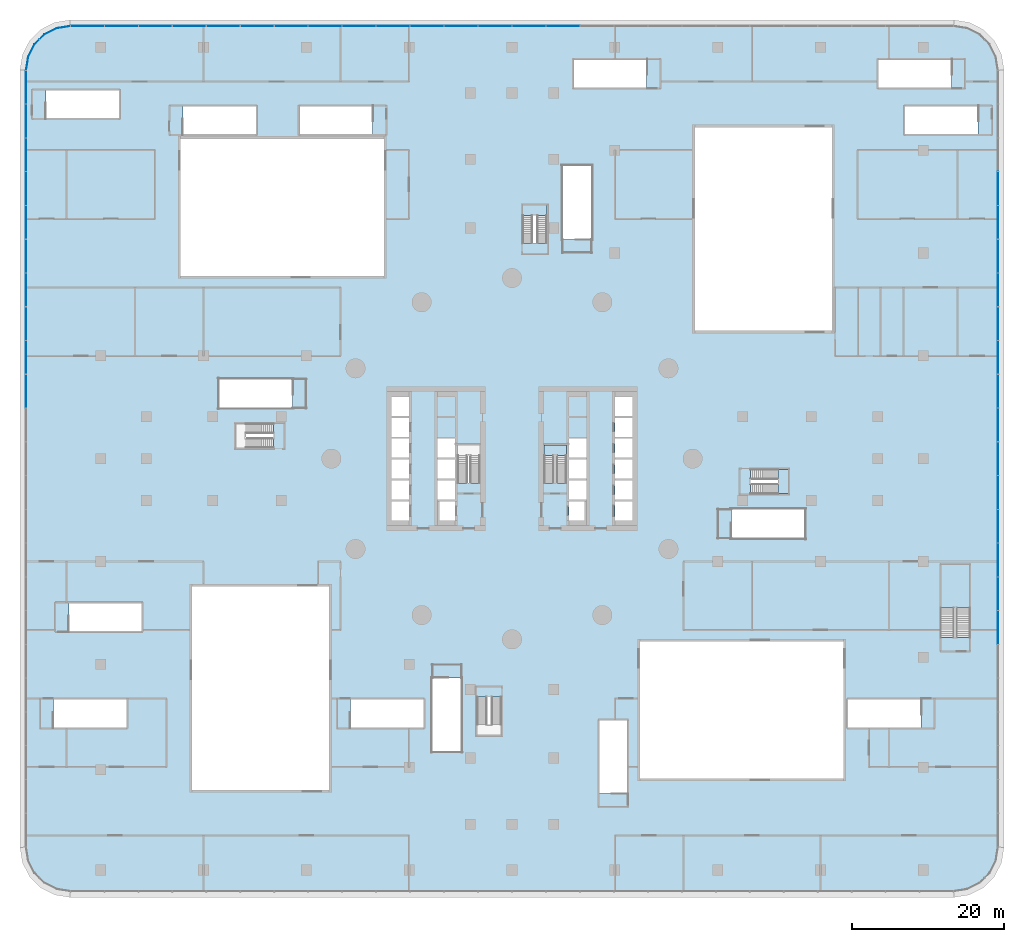
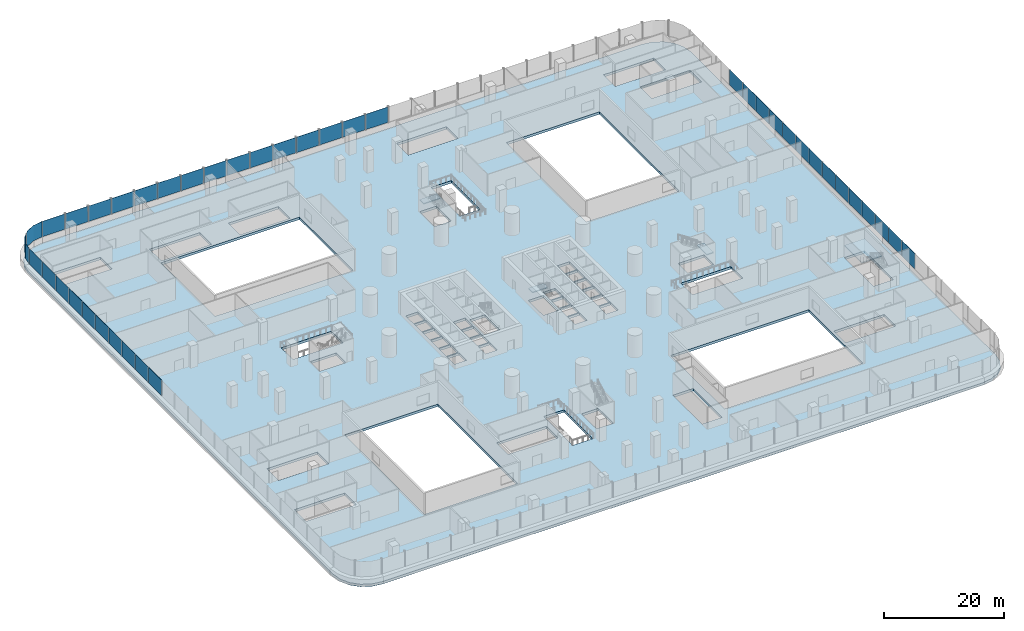
# One storey, part 21 of 38: 41 plates, 5 slabs, 8 elements without a shape of their own.
"""IFC4 building model written with IfcOpenShell, lengths in metres."""

from ifc_helpers import new_model, si_unit, direction, frame, origin, place, context, subcontext, project, spatial, polyline, outline, extrude, material, layer, layer_set, type_object, element, aggregate, save


model = new_model("IFC4")

# Units and contexts
model_context = context("Model", 3, precision=1e-05, world=origin(), true_north=direction((0.0, 1.0)))
body_context = subcontext(model_context, "Body", "Model", "MODEL_VIEW")
ifc_project = project(units=[si_unit("LENGTHUNIT", "METRE"), si_unit("AREAUNIT", "SQUARE_METRE"), si_unit("VOLUMEUNIT", "CUBIC_METRE"), si_unit("PLANEANGLEUNIT", "RADIAN"), si_unit("MASSUNIT", "GRAM", prefix="KILO")], contexts=[model_context])

# Site, building, storey
site_placement = place(None, origin())
site = spatial("IfcSite", under=ifc_project, at=site_placement, CompositionType="ELEMENT")
building_placement = place(site_placement, origin())
building = spatial("IfcBuilding", under=site, at=building_placement, Name="Tamarind Cross Interchange Tower", CompositionType="ELEMENT")
storey_placement = place(building_placement, frame((0.0, 0.0, 20.0)))
storey = spatial("IfcBuildingStorey", under=building, at=storey_placement, Name="L03", CompositionType="ELEMENT", Elevation=20.0)

# Slab
ifc_material_1 = material(Name="Concrete C40", Category="concrete")
ifc_layer_1 = layer(ifc_material_1, 0.5)
ifc_layer_set_1 = layer_set([ifc_layer_1], Name="Concrete C40")
slab_type_1 = type_object("IfcSlabType", Name="Post-tensioned flat slab 500 Concrete C40", PredefinedType="FLOOR", material=ifc_layer_set_1)
slab_1_placement = place(storey_placement, frame((0.0, 0.0, -0.5)))
element("IfcSlab", 1, at=slab_1_placement, inside=storey, type_object=slab_type_1, Name="Floor slab L03", PredefinedType="FLOOR", context=body_context, shape_type="SweptSolid", body=[
    extrude(outline(polyline([(-59.85400390625, -56.706298828125), (-58.0, -57.0), (58.0, -57.0), (59.85400390625, -56.706298828125), (61.526611328125, -55.85400390625), (62.85400390625, -54.526611328125), (63.706298828125, -52.85400390625), (64.0, -51.0), (64.0, 51.0), (63.706298828125, 52.85400390625), (62.85400390625, 54.526611328125), (61.526611328125, 55.85400390625), (59.85400390625, 56.706298828125), (58.0, 57.0), (-58.0, 57.0), (-59.85400390625, 56.706298828125), (-61.526611328125, 55.85400390625), (-62.85400390625, 54.526611328125), (-63.706298828125, 52.85400390625), (-64.0, 51.0), (-64.0, -51.0), (-63.706298828125, -52.85400390625), (-62.85400390625, -54.526611328125), (-61.526611328125, -55.85400390625), (-59.85400390625, -56.706298828125)]), holes=[polyline([(-50.5, -35.39990234375), (-60.18798828125, -35.39990234375), (-60.18798828125, -31.5), (-50.5, -31.5), (-50.5, -35.39990234375)]), polyline([(-11.5, -35.39990234375), (-21.18798828125, -35.39990234375), (-21.18798828125, -31.5), (-11.5, -31.5), (-11.5, -35.39990234375)]), polyline([(-42.0, -43.5), (-42.0, -16.800048828125), (-24.0, -16.800048828125), (-24.0, -43.5), (-42.0, -43.5)]), polyline([(-58.18798828125, -22.75), (-58.18798828125, -18.85009765625), (-48.5, -18.85009765625), (-48.5, -22.75), (-58.18798828125, -22.75)]), polyline([(-15.800048828125, -8.125), (-15.800048828125, -5.625), (-13.5, -5.625), (-13.5, -8.125), (-15.800048828125, -8.125)]), polyline([(-13.5, -5.375), (-15.800048828125, -5.375), (-15.800048828125, -2.875), (-13.5, -2.875), (-13.5, -5.375)]), polyline([(-15.800048828125, -2.625), (-15.800048828125, -0.125), (-13.5, -0.125), (-13.5, -2.625), (-15.800048828125, -2.625)]), polyline([(-15.800048828125, 0.125), (-15.800048828125, 2.625), (-13.5, 2.625), (-13.5, 0.125), (-15.800048828125, 0.125)]), polyline([(-31.31201171875, 1.39990234375), (-36.300048828125, 1.39990234375), (-36.300048828125, 4.60009765625), (-31.31201171875, 4.60009765625), (-31.31201171875, 1.39990234375)]), polyline([(-15.800048828125, 2.875), (-15.800048828125, 5.375), (-13.5, 5.375), (-13.5, 2.875), (-15.800048828125, 2.875)]), polyline([(-15.800048828125, 5.625), (-15.800048828125, 8.125), (-13.5, 8.125), (-13.5, 5.625), (-15.800048828125, 5.625)]), polyline([(-38.5, 10.5), (-28.81201171875, 10.5), (-28.81201171875, 6.60009765625), (-38.5, 6.60009765625), (-38.5, 10.5)]), polyline([(-43.5, 42.0), (-16.800048828125, 42.0), (-16.800048828125, 24.0), (-43.5, 24.0), (-43.5, 42.0)]), polyline([(-43.18798828125, 42.5), (-43.18798828125, 46.39990234375), (-33.5, 46.39990234375), (-33.5, 42.5), (-43.18798828125, 42.5)]), polyline([(-28.0, 46.39990234375), (-18.31201171875, 46.39990234375), (-18.31201171875, 42.5), (-28.0, 42.5), (-28.0, 46.39990234375)]), polyline([(-61.18798828125, 44.60009765625), (-61.18798828125, 48.5), (-51.5, 48.5), (-51.5, 44.60009765625), (-61.18798828125, 44.60009765625)]), polyline([(15.25, -43.93798828125), (11.35009765625, -43.93798828125), (11.35009765625, -34.25), (15.25, -34.25), (15.25, -43.93798828125)]), polyline([(-1.39990234375, -31.31201171875), (-1.39990234375, -36.300048828125), (-4.60009765625, -36.300048828125), (-4.60009765625, -31.31201171875), (-1.39990234375, -31.31201171875)]), polyline([(-10.5, -28.81201171875), (-6.60009765625, -28.81201171875), (-6.60009765625, -38.5), (-10.5, -38.5), (-10.5, -28.81201171875)]), polyline([(-9.800048828125, -8.125), (-9.800048828125, -5.625), (-7.5, -5.625), (-7.5, -8.125), (-9.800048828125, -8.125)]), polyline([(7.5, -5.625), (9.800048828125, -5.625), (9.800048828125, -8.125), (7.5, -8.125), (7.5, -5.625)]), polyline([(-9.800048828125, -5.375), (-9.800048828125, -2.875), (-7.5, -2.875), (-7.5, -5.375), (-9.800048828125, -5.375)]), polyline([(9.800048828125, -2.875), (9.800048828125, -5.375), (7.5, -5.375), (7.5, -2.875), (9.800048828125, -2.875)]), polyline([(-7.5, -2.625), (-9.800048828125, -2.625), (-9.800048828125, -0.125), (-7.5, -0.125), (-7.5, -2.625)]), polyline([(7.5, -0.125), (9.800048828125, -0.125), (9.800048828125, -2.625), (7.5, -2.625), (7.5, -0.125)]), polyline([(-4.199951171875, 1.800048828125), (-4.199951171875, -3.18798828125), (-7.14990234375, -3.18798828125), (-7.14990234375, 1.800048828125), (-4.199951171875, 1.800048828125)]), polyline([(7.14990234375, -3.18798828125), (4.199951171875, -3.18798828125), (4.199951171875, 1.800048828125), (7.14990234375, 1.800048828125), (7.14990234375, -3.18798828125)]), polyline([(-9.800048828125, 0.125), (-9.800048828125, 2.625), (-7.5, 2.625), (-7.5, 0.125), (-9.800048828125, 0.125)]), polyline([(7.5, 2.625), (9.800048828125, 2.625), (9.800048828125, 0.125), (7.5, 0.125), (7.5, 2.625)]), polyline([(1.39990234375, 33.300048828125), (4.60009765625, 33.300048828125), (4.60009765625, 28.31201171875), (1.39990234375, 28.31201171875), (1.39990234375, 33.300048828125)]), polyline([(10.5, 28.81201171875), (6.60009765625, 28.81201171875), (6.60009765625, 38.5), (10.5, 38.5), (10.5, 28.81201171875)]), polyline([(8.0, 52.5), (17.68798828125, 52.5), (17.68798828125, 48.60009765625), (8.0, 48.60009765625), (8.0, 52.5)]), polyline([(53.68798828125, -31.5), (53.68798828125, -35.39990234375), (44.0, -35.39990234375), (44.0, -31.5), (53.68798828125, -31.5)]), polyline([(16.800048828125, -24.0), (43.5, -24.0), (43.5, -42.0), (16.800048828125, -42.0), (16.800048828125, -24.0)]), polyline([(60.14990234375, -13.800048828125), (60.14990234375, -23.488037109375), (56.25, -23.488037109375), (56.25, -13.800048828125), (60.14990234375, -13.800048828125)]), polyline([(28.81201171875, -10.5), (28.81201171875, -6.60009765625), (38.5, -6.60009765625), (38.5, -10.5), (28.81201171875, -10.5)]), polyline([(15.800048828125, -5.625), (15.800048828125, -8.125), (13.5, -8.125), (13.5, -5.625), (15.800048828125, -5.625)]), polyline([(13.5, -2.875), (15.800048828125, -2.875), (15.800048828125, -5.375), (13.5, -5.375), (13.5, -2.875)]), polyline([(36.300048828125, -1.39990234375), (36.300048828125, -4.60009765625), (31.31201171875, -4.60009765625), (31.31201171875, -1.39990234375), (36.300048828125, -1.39990234375)]), polyline([(15.800048828125, -0.125), (15.800048828125, -2.625), (13.5, -2.625), (13.5, -0.125), (15.800048828125, -0.125)]), polyline([(13.5, 2.625), (15.800048828125, 2.625), (15.800048828125, 0.125), (13.5, 0.125), (13.5, 2.625)]), polyline([(15.800048828125, 5.375), (15.800048828125, 2.875), (13.5, 2.875), (13.5, 5.375), (15.800048828125, 5.375)]), polyline([(15.800048828125, 8.125), (15.800048828125, 5.625), (13.5, 5.625), (13.5, 8.125), (15.800048828125, 8.125)]), polyline([(24.0, 16.800048828125), (24.0, 43.5), (42.0, 43.5), (42.0, 16.800048828125), (24.0, 16.800048828125)]), polyline([(61.18798828125, 46.39990234375), (61.18798828125, 42.5), (51.5, 42.5), (51.5, 46.39990234375), (61.18798828125, 46.39990234375)]), polyline([(57.68798828125, 52.5), (57.68798828125, 48.60009765625), (48.0, 48.60009765625), (48.0, 52.5), (57.68798828125, 52.5)])]), origin(), (0.0, 0.0, 1.0), 0.5),
])

# Stair, slab
ifc_material_2 = material(Name="Public stair")
stair_type_1 = type_object("IfcStairType", Name="Public stair", PredefinedType="HALF_TURN_STAIR", material=ifc_material_2)
stair_1_placement = place(storey_placement, origin())
stair_1 = element("IfcStair", 2, at=stair_1_placement, inside=storey, type_object=stair_type_1, Name="L03 exit stair XS-P11", PredefinedType="HALF_TURN_STAIR")
ifc_layer_2 = layer(ifc_material_1, 0.199951171875)
ifc_layer_set_2 = layer_set([ifc_layer_2], Name="Concrete C40")
slab_type_2 = type_object("IfcSlabType", Name="Public stair landing", PredefinedType="LANDING", material=ifc_layer_set_2)
slab_2_placement = place(storey_placement, frame((0.0, 0.0, 2.300048828125)))
slab_2 = element("IfcSlab", 3, at=slab_2_placement, type_object=slab_type_2, Name="XS-P11 landing 1", PredefinedType="LANDING", context=body_context, shape_type="SweptSolid", body=[
    extrude(outline(polyline([(60.14990234375, -19.580078125), (60.14990234375, -13.800048828125), (56.25, -13.800048828125), (56.25, -19.580078125), (60.14990234375, -19.580078125)])), origin(), (0.0, 0.0, 1.0), 0.199951171875),
])
aggregate(stair_1, [slab_2])

ifc_material_3 = material(Name="Exit stair")
stair_type_2 = type_object("IfcStairType", Name="Exit stair", PredefinedType="HALF_TURN_STAIR", material=ifc_material_3)
stair_2_placement = place(storey_placement, origin())
stair_2 = element("IfcStair", 4, at=stair_2_placement, inside=storey, type_object=stair_type_2, Name="L03 exit stair ST2", PredefinedType="HALF_TURN_STAIR")
ifc_layer_3 = layer(ifc_material_1, 0.199951171875)
ifc_layer_set_3 = layer_set([ifc_layer_3], Name="Concrete C40")
slab_type_3 = type_object("IfcSlabType", Name="Stair landing", PredefinedType="LANDING", material=ifc_layer_set_3)
slab_3_placement = place(storey_placement, frame((0.0, 0.0, 2.300048828125)))
slab_3 = element("IfcSlab", 5, at=slab_3_placement, type_object=slab_type_3, Name="ST2 landing 1", PredefinedType="LANDING", context=body_context, shape_type="SweptSolid", body=[
    extrude(outline(polyline([(7.14990234375, 0.43994140625), (7.14990234375, 1.800048828125), (4.199951171875, 1.800048828125), (4.199951171875, 0.43994140625), (7.14990234375, 0.43994140625)])), origin(), (0.0, 0.0, 1.0), 0.199951171875),
])
aggregate(stair_2, [slab_3])

stair_3_placement = place(storey_placement, origin())
stair_3 = element("IfcStair", 6, at=stair_3_placement, inside=storey, type_object=stair_type_2, Name="L03 exit stair ST3", PredefinedType="HALF_TURN_STAIR")
slab_4_placement = place(storey_placement, frame((0.0, 0.0, 2.300048828125)))
slab_4 = element("IfcSlab", 7, at=slab_4_placement, type_object=slab_type_3, Name="ST3 landing 1", PredefinedType="LANDING", context=body_context, shape_type="SweptSolid", body=[
    extrude(outline(polyline([(34.927978515625, -4.60009765625), (36.300048828125, -4.60009765625), (36.300048828125, -1.39990234375), (34.927978515625, -1.39990234375), (34.927978515625, -4.60009765625)])), origin(), (0.0, 0.0, 1.0), 0.199951171875),
])
aggregate(stair_3, [slab_4])

stair_4_placement = place(storey_placement, origin())
stair_4 = element("IfcStair", 8, at=stair_4_placement, inside=storey, type_object=stair_type_2, Name="L03 exit stair ST4", PredefinedType="HALF_TURN_STAIR")
slab_5_placement = place(storey_placement, frame((0.0, 0.0, 2.300048828125)))
slab_5 = element("IfcSlab", 9, at=slab_5_placement, type_object=slab_type_3, Name="ST4 landing 1", PredefinedType="LANDING", context=body_context, shape_type="SweptSolid", body=[
    extrude(outline(polyline([(4.60009765625, 31.927978515625), (4.60009765625, 33.300048828125), (1.39990234375, 33.300048828125), (1.39990234375, 31.927978515625), (4.60009765625, 31.927978515625)])), origin(), (0.0, 0.0, 1.0), 0.199951171875),
])
aggregate(stair_4, [slab_5])

# Curtain wall, plates
ifc_material_4 = material(Name="Aluminium 6063-T6", Category="aluminium")
ifc_layer_4 = layer(ifc_material_4, 0.199951171875)
ifc_layer_set_4 = layer_set([ifc_layer_4], Name="Aluminium 6063-T6")
curtain_wall_type = type_object("IfcCurtainWallType", Name="Podium shopfront and station curtain wall", PredefinedType="NOTDEFINED", material=ifc_layer_set_4)
curtain_wall_1_placement = place(storey_placement, origin())
curtain_wall_1 = element("IfcCurtainWall", 10, at=curtain_wall_1_placement, inside=storey, type_object=curtain_wall_type, Name="CWS-L03-00", PredefinedType="NOTDEFINED")
ifc_material_5 = material(Name="Toughened low-e glass 10+12+10", Category="glass")
ifc_layer_5 = layer(ifc_material_5, 0.031982421875)
ifc_layer_set_5 = layer_set([ifc_layer_5], Name="Toughened low-e glass 10+12+10")
plate_type = type_object("IfcPlateType", Name="Vision panel CW3", PredefinedType="CURTAIN_PANEL", material=ifc_layer_set_5)
plate_1_placement = place(storey_placement, frame((0.0, 0.0, 1.39990234375)))
plate_1 = element("IfcPlate", 11, at=plate_1_placement, type_object=plate_type, Name="CWP-L03-00-06", PredefinedType="CURTAIN_PANEL", context=body_context, shape_type="SweptSolid", body=[
    extrude(outline(polyline([(63.783935546875, -24.34375), (63.783935546875, -19.990478515625), (63.81591796875, -19.990478515625), (63.81591796875, -24.34375), (63.783935546875, -24.34375)])), origin(), (0.0, 0.0, 1.0), 3.150146484375),
])
plate_2_placement = place(storey_placement, frame((0.0, 0.0, 1.39990234375)))
plate_2 = element("IfcPlate", 12, at=plate_2_placement, type_object=plate_type, Name="CWP-L03-00-07", PredefinedType="CURTAIN_PANEL", context=body_context, shape_type="SweptSolid", body=[
    extrude(outline(polyline([(63.783935546875, -19.910400390625), (63.783935546875, -15.556884765625), (63.81591796875, -15.556884765625), (63.81591796875, -19.910400390625), (63.783935546875, -19.910400390625)])), origin(), (0.0, 0.0, 1.0), 3.150146484375),
])
plate_3_placement = place(storey_placement, frame((0.0, 0.0, 1.39990234375)))
plate_3 = element("IfcPlate", 13, at=plate_3_placement, type_object=plate_type, Name="CWP-L03-00-08", PredefinedType="CURTAIN_PANEL", context=body_context, shape_type="SweptSolid", body=[
    extrude(outline(polyline([(63.783935546875, -15.47705078125), (63.783935546875, -11.12353515625), (63.81591796875, -11.12353515625), (63.81591796875, -15.47705078125), (63.783935546875, -15.47705078125)])), origin(), (0.0, 0.0, 1.0), 3.150146484375),
])
plate_4_placement = place(storey_placement, frame((0.0, 0.0, 1.39990234375)))
plate_4 = element("IfcPlate", 14, at=plate_4_placement, type_object=plate_type, Name="CWP-L03-00-09", PredefinedType="CURTAIN_PANEL", context=body_context, shape_type="SweptSolid", body=[
    extrude(outline(polyline([(63.783935546875, -11.04345703125), (63.783935546875, -6.690185546875), (63.81591796875, -6.690185546875), (63.81591796875, -11.04345703125), (63.783935546875, -11.04345703125)])), origin(), (0.0, 0.0, 1.0), 3.150146484375),
])
plate_5_placement = place(storey_placement, frame((0.0, 0.0, 1.39990234375)))
plate_5 = element("IfcPlate", 15, at=plate_5_placement, type_object=plate_type, Name="CWP-L03-00-10", PredefinedType="CURTAIN_PANEL", context=body_context, shape_type="SweptSolid", body=[
    extrude(outline(polyline([(63.783935546875, -6.610107421875), (63.783935546875, -2.256591796875), (63.81591796875, -2.256591796875), (63.81591796875, -6.610107421875), (63.783935546875, -6.610107421875)])), origin(), (0.0, 0.0, 1.0), 3.150146484375),
])
plate_6_placement = place(storey_placement, frame((0.0, 0.0, 1.39990234375)))
plate_6 = element("IfcPlate", 16, at=plate_6_placement, type_object=plate_type, Name="CWP-L03-00-11", PredefinedType="CURTAIN_PANEL", context=body_context, shape_type="SweptSolid", body=[
    extrude(outline(polyline([(63.783935546875, -2.1767578125), (63.783935546875, 2.1767578125), (63.81591796875, 2.1767578125), (63.81591796875, -2.1767578125), (63.783935546875, -2.1767578125)])), origin(), (0.0, 0.0, 1.0), 3.150146484375),
])
plate_7_placement = place(storey_placement, frame((0.0, 0.0, 1.39990234375)))
plate_7 = element("IfcPlate", 17, at=plate_7_placement, type_object=plate_type, Name="CWP-L03-00-12", PredefinedType="CURTAIN_PANEL", context=body_context, shape_type="SweptSolid", body=[
    extrude(outline(polyline([(63.783935546875, 2.256591796875), (63.783935546875, 6.610107421875), (63.81591796875, 6.610107421875), (63.81591796875, 2.256591796875), (63.783935546875, 2.256591796875)])), origin(), (0.0, 0.0, 1.0), 3.150146484375),
])
plate_8_placement = place(storey_placement, frame((0.0, 0.0, 1.39990234375)))
plate_8 = element("IfcPlate", 18, at=plate_8_placement, type_object=plate_type, Name="CWP-L03-00-13", PredefinedType="CURTAIN_PANEL", context=body_context, shape_type="SweptSolid", body=[
    extrude(outline(polyline([(63.783935546875, 6.690185546875), (63.783935546875, 11.04345703125), (63.81591796875, 11.04345703125), (63.81591796875, 6.690185546875), (63.783935546875, 6.690185546875)])), origin(), (0.0, 0.0, 1.0), 3.150146484375),
])
plate_9_placement = place(storey_placement, frame((0.0, 0.0, 1.39990234375)))
plate_9 = element("IfcPlate", 19, at=plate_9_placement, type_object=plate_type, Name="CWP-L03-00-14", PredefinedType="CURTAIN_PANEL", context=body_context, shape_type="SweptSolid", body=[
    extrude(outline(polyline([(63.783935546875, 11.12353515625), (63.783935546875, 15.47705078125), (63.81591796875, 15.47705078125), (63.81591796875, 11.12353515625), (63.783935546875, 11.12353515625)])), origin(), (0.0, 0.0, 1.0), 3.150146484375),
])
plate_10_placement = place(storey_placement, frame((0.0, 0.0, 1.39990234375)))
plate_10 = element("IfcPlate", 20, at=plate_10_placement, type_object=plate_type, Name="CWP-L03-00-15", PredefinedType="CURTAIN_PANEL", context=body_context, shape_type="SweptSolid", body=[
    extrude(outline(polyline([(63.783935546875, 15.556884765625), (63.783935546875, 19.910400390625), (63.81591796875, 19.910400390625), (63.81591796875, 15.556884765625), (63.783935546875, 15.556884765625)])), origin(), (0.0, 0.0, 1.0), 3.150146484375),
])
plate_11_placement = place(storey_placement, frame((0.0, 0.0, 1.39990234375)))
plate_11 = element("IfcPlate", 21, at=plate_11_placement, type_object=plate_type, Name="CWP-L03-00-16", PredefinedType="CURTAIN_PANEL", context=body_context, shape_type="SweptSolid", body=[
    extrude(outline(polyline([(63.783935546875, 19.990478515625), (63.783935546875, 24.34375), (63.81591796875, 24.34375), (63.81591796875, 19.990478515625), (63.783935546875, 19.990478515625)])), origin(), (0.0, 0.0, 1.0), 3.150146484375),
])
plate_12_placement = place(storey_placement, frame((0.0, 0.0, 1.39990234375)))
plate_12 = element("IfcPlate", 22, at=plate_12_placement, type_object=plate_type, Name="CWP-L03-00-17", PredefinedType="CURTAIN_PANEL", context=body_context, shape_type="SweptSolid", body=[
    extrude(outline(polyline([(63.783935546875, 24.423828125), (63.783935546875, 28.777099609375), (63.81591796875, 28.777099609375), (63.81591796875, 24.423828125), (63.783935546875, 24.423828125)])), origin(), (0.0, 0.0, 1.0), 3.150146484375),
])
plate_13_placement = place(storey_placement, frame((0.0, 0.0, 1.39990234375)))
plate_13 = element("IfcPlate", 23, at=plate_13_placement, type_object=plate_type, Name="CWP-L03-00-18", PredefinedType="CURTAIN_PANEL", context=body_context, shape_type="SweptSolid", body=[
    extrude(outline(polyline([(63.783935546875, 28.857177734375), (63.783935546875, 33.210693359375), (63.81591796875, 33.210693359375), (63.81591796875, 28.857177734375), (63.783935546875, 28.857177734375)])), origin(), (0.0, 0.0, 1.0), 3.150146484375),
])
plate_14_placement = place(storey_placement, frame((0.0, 0.0, 1.39990234375)))
plate_14 = element("IfcPlate", 24, at=plate_14_placement, type_object=plate_type, Name="CWP-L03-00-19", PredefinedType="CURTAIN_PANEL", context=body_context, shape_type="SweptSolid", body=[
    extrude(outline(polyline([(63.783935546875, 33.29052734375), (63.783935546875, 37.64404296875), (63.81591796875, 37.64404296875), (63.81591796875, 33.29052734375), (63.783935546875, 33.29052734375)])), origin(), (0.0, 0.0, 1.0), 3.150146484375),
])
aggregate(curtain_wall_1, [plate_1, plate_2, plate_3, plate_4, plate_5, plate_6, plate_7, plate_8, plate_9, plate_10, plate_11, plate_12, plate_13, plate_14])

curtain_wall_2_placement = place(storey_placement, origin())
curtain_wall_2 = element("IfcCurtainWall", 25, at=curtain_wall_2_placement, inside=storey, type_object=curtain_wall_type, Name="CWS-L03-02", PredefinedType="NOTDEFINED")
plate_15_placement = place(storey_placement, frame((0.0, 0.0, 1.39990234375)))
plate_15 = element("IfcPlate", 26, at=plate_15_placement, type_object=plate_type, Name="CWP-L03-02-11", PredefinedType="CURTAIN_PANEL", context=body_context, shape_type="SweptSolid", body=[
    extrude(outline(polyline([(8.880615234375, 56.783935546875), (4.500244140625, 56.783935546875), (4.500244140625, 56.81591796875), (8.880615234375, 56.81591796875), (8.880615234375, 56.783935546875)])), origin(), (0.0, 0.0, 1.0), 3.150146484375),
])
plate_16_placement = place(storey_placement, frame((0.0, 0.0, 1.39990234375)))
plate_16 = element("IfcPlate", 27, at=plate_16_placement, type_object=plate_type, Name="CWP-L03-02-12", PredefinedType="CURTAIN_PANEL", context=body_context, shape_type="SweptSolid", body=[
    extrude(outline(polyline([(4.42041015625, 56.783935546875), (0.0400390625, 56.783935546875), (0.0400390625, 56.81591796875), (4.42041015625, 56.81591796875), (4.42041015625, 56.783935546875)])), origin(), (0.0, 0.0, 1.0), 3.150146484375),
])
plate_17_placement = place(storey_placement, frame((0.0, 0.0, 1.39990234375)))
plate_17 = element("IfcPlate", 28, at=plate_17_placement, type_object=plate_type, Name="CWP-L03-02-13", PredefinedType="CURTAIN_PANEL", context=body_context, shape_type="SweptSolid", body=[
    extrude(outline(polyline([(-0.0400390625, 56.783935546875), (-4.42041015625, 56.783935546875), (-4.42041015625, 56.81591796875), (-0.0400390625, 56.81591796875), (-0.0400390625, 56.783935546875)])), origin(), (0.0, 0.0, 1.0), 3.150146484375),
])
plate_18_placement = place(storey_placement, frame((0.0, 0.0, 1.39990234375)))
plate_18 = element("IfcPlate", 29, at=plate_18_placement, type_object=plate_type, Name="CWP-L03-02-14", PredefinedType="CURTAIN_PANEL", context=body_context, shape_type="SweptSolid", body=[
    extrude(outline(polyline([(-4.500244140625, 56.783935546875), (-8.880615234375, 56.783935546875), (-8.880615234375, 56.81591796875), (-4.500244140625, 56.81591796875), (-4.500244140625, 56.783935546875)])), origin(), (0.0, 0.0, 1.0), 3.150146484375),
])
plate_19_placement = place(storey_placement, frame((0.0, 0.0, 1.39990234375)))
plate_19 = element("IfcPlate", 30, at=plate_19_placement, type_object=plate_type, Name="CWP-L03-02-15", PredefinedType="CURTAIN_PANEL", context=body_context, shape_type="SweptSolid", body=[
    extrude(outline(polyline([(-8.960693359375, 56.783935546875), (-13.341064453125, 56.783935546875), (-13.341064453125, 56.81591796875), (-8.960693359375, 56.81591796875), (-8.960693359375, 56.783935546875)])), origin(), (0.0, 0.0, 1.0), 3.150146484375),
])
plate_20_placement = place(storey_placement, frame((0.0, 0.0, 1.39990234375)))
plate_20 = element("IfcPlate", 31, at=plate_20_placement, type_object=plate_type, Name="CWP-L03-02-16", PredefinedType="CURTAIN_PANEL", context=body_context, shape_type="SweptSolid", body=[
    extrude(outline(polyline([(-13.4208984375, 56.783935546875), (-17.80126953125, 56.783935546875), (-17.80126953125, 56.81591796875), (-13.4208984375, 56.81591796875), (-13.4208984375, 56.783935546875)])), origin(), (0.0, 0.0, 1.0), 3.150146484375),
])
plate_21_placement = place(storey_placement, frame((0.0, 0.0, 1.39990234375)))
plate_21 = element("IfcPlate", 32, at=plate_21_placement, type_object=plate_type, Name="CWP-L03-02-17", PredefinedType="CURTAIN_PANEL", context=body_context, shape_type="SweptSolid", body=[
    extrude(outline(polyline([(-17.88134765625, 56.783935546875), (-22.26171875, 56.783935546875), (-22.26171875, 56.81591796875), (-17.88134765625, 56.81591796875), (-17.88134765625, 56.783935546875)])), origin(), (0.0, 0.0, 1.0), 3.150146484375),
])
plate_22_placement = place(storey_placement, frame((0.0, 0.0, 1.39990234375)))
plate_22 = element("IfcPlate", 33, at=plate_22_placement, type_object=plate_type, Name="CWP-L03-02-18", PredefinedType="CURTAIN_PANEL", context=body_context, shape_type="SweptSolid", body=[
    extrude(outline(polyline([(-22.341552734375, 56.783935546875), (-26.721923828125, 56.783935546875), (-26.721923828125, 56.81591796875), (-22.341552734375, 56.81591796875), (-22.341552734375, 56.783935546875)])), origin(), (0.0, 0.0, 1.0), 3.150146484375),
])
plate_23_placement = place(storey_placement, frame((0.0, 0.0, 1.39990234375)))
plate_23 = element("IfcPlate", 34, at=plate_23_placement, type_object=plate_type, Name="CWP-L03-02-19", PredefinedType="CURTAIN_PANEL", context=body_context, shape_type="SweptSolid", body=[
    extrude(outline(polyline([(-26.802001953125, 56.783935546875), (-31.182373046875, 56.783935546875), (-31.182373046875, 56.81591796875), (-26.802001953125, 56.81591796875), (-26.802001953125, 56.783935546875)])), origin(), (0.0, 0.0, 1.0), 3.150146484375),
])
plate_24_placement = place(storey_placement, frame((0.0, 0.0, 1.39990234375)))
plate_24 = element("IfcPlate", 35, at=plate_24_placement, type_object=plate_type, Name="CWP-L03-02-20", PredefinedType="CURTAIN_PANEL", context=body_context, shape_type="SweptSolid", body=[
    extrude(outline(polyline([(-31.26220703125, 56.783935546875), (-35.642578125, 56.783935546875), (-35.642578125, 56.81591796875), (-31.26220703125, 56.81591796875), (-31.26220703125, 56.783935546875)])), origin(), (0.0, 0.0, 1.0), 3.150146484375),
])
plate_25_placement = place(storey_placement, frame((0.0, 0.0, 1.39990234375)))
plate_25 = element("IfcPlate", 36, at=plate_25_placement, type_object=plate_type, Name="CWP-L03-02-21", PredefinedType="CURTAIN_PANEL", context=body_context, shape_type="SweptSolid", body=[
    extrude(outline(polyline([(-35.72265625, 56.783935546875), (-40.10302734375, 56.783935546875), (-40.10302734375, 56.81591796875), (-35.72265625, 56.81591796875), (-35.72265625, 56.783935546875)])), origin(), (0.0, 0.0, 1.0), 3.150146484375),
])
plate_26_placement = place(storey_placement, frame((0.0, 0.0, 1.39990234375)))
plate_26 = element("IfcPlate", 37, at=plate_26_placement, type_object=plate_type, Name="CWP-L03-02-22", PredefinedType="CURTAIN_PANEL", context=body_context, shape_type="SweptSolid", body=[
    extrude(outline(polyline([(-40.182861328125, 56.783935546875), (-44.563232421875, 56.783935546875), (-44.563232421875, 56.81591796875), (-40.182861328125, 56.81591796875), (-40.182861328125, 56.783935546875)])), origin(), (0.0, 0.0, 1.0), 3.150146484375),
])
plate_27_placement = place(storey_placement, frame((0.0, 0.0, 1.39990234375)))
plate_27 = element("IfcPlate", 38, at=plate_27_placement, type_object=plate_type, Name="CWP-L03-02-23", PredefinedType="CURTAIN_PANEL", context=body_context, shape_type="SweptSolid", body=[
    extrude(outline(polyline([(-44.643310546875, 56.783935546875), (-49.023681640625, 56.783935546875), (-49.023681640625, 56.81591796875), (-44.643310546875, 56.81591796875), (-44.643310546875, 56.783935546875)])), origin(), (0.0, 0.0, 1.0), 3.150146484375),
])
plate_28_placement = place(storey_placement, frame((0.0, 0.0, 1.39990234375)))
plate_28 = element("IfcPlate", 39, at=plate_28_placement, type_object=plate_type, Name="CWP-L03-02-24", PredefinedType="CURTAIN_PANEL", context=body_context, shape_type="SweptSolid", body=[
    extrude(outline(polyline([(-49.103515625, 56.783935546875), (-53.48388671875, 56.783935546875), (-53.48388671875, 56.81591796875), (-49.103515625, 56.81591796875), (-49.103515625, 56.783935546875)])), origin(), (0.0, 0.0, 1.0), 3.150146484375),
])
plate_29_placement = place(storey_placement, frame((0.0, 0.0, 1.39990234375)))
plate_29 = element("IfcPlate", 40, at=plate_29_placement, type_object=plate_type, Name="CWP-L03-02-25", PredefinedType="CURTAIN_PANEL", context=body_context, shape_type="SweptSolid", body=[
    extrude(outline(polyline([(-53.56396484375, 56.783935546875), (-57.9443359375, 56.783935546875), (-57.9443359375, 56.81591796875), (-53.56396484375, 56.81591796875), (-53.56396484375, 56.783935546875)])), origin(), (0.0, 0.0, 1.0), 3.150146484375),
])
aggregate(curtain_wall_2, [plate_15, plate_16, plate_17, plate_18, plate_19, plate_20, plate_21, plate_22, plate_23, plate_24, plate_25, plate_26, plate_27, plate_28, plate_29])

curtain_wall_3_placement = place(storey_placement, origin())
curtain_wall_3 = element("IfcCurtainWall", 41, at=curtain_wall_3_placement, inside=storey, type_object=curtain_wall_type, Name="CWS-L03-03", PredefinedType="NOTDEFINED")
plate_30_placement = place(storey_placement, frame((0.0, 0.0, 1.39990234375)))
plate_30 = element("IfcPlate", 42, at=plate_30_placement, type_object=plate_type, Name="CWP-L03-03-00", PredefinedType="CURTAIN_PANEL", context=body_context, shape_type="SweptSolid", body=[
    extrude(outline(polyline([(-58.021240234375, 56.77783203125), (-59.78662109375, 56.498291015625), (-61.398193359375, 55.67724609375), (-62.00927734375, 55.06591796875), (-62.031982421875, 55.088623046875), (-61.417236328125, 55.703369140625), (-59.796630859375, 56.529052734375), (-58.0263671875, 56.8095703125), (-58.021240234375, 56.77783203125)])), origin(), (0.0, 0.0, 1.0), 3.150146484375),
])
plate_31_placement = place(storey_placement, frame((0.0, 0.0, 1.39990234375)))
plate_31 = element("IfcPlate", 43, at=plate_31_placement, type_object=plate_type, Name="CWP-L03-03-01", PredefinedType="CURTAIN_PANEL", context=body_context, shape_type="SweptSolid", body=[
    extrude(outline(polyline([(-62.06591796875, 55.00927734375), (-62.67724609375, 54.398193359375), (-63.498291015625, 52.78662109375), (-63.77783203125, 51.021240234375), (-63.8095703125, 51.0263671875), (-63.529052734375, 52.796630859375), (-62.703369140625, 54.417236328125), (-62.088623046875, 55.031982421875), (-62.06591796875, 55.00927734375)])), origin(), (0.0, 0.0, 1.0), 3.150146484375),
])
aggregate(curtain_wall_3, [plate_30, plate_31])

curtain_wall_4_placement = place(storey_placement, origin())
curtain_wall_4 = element("IfcCurtainWall", 44, at=curtain_wall_4_placement, inside=storey, type_object=curtain_wall_type, Name="CWS-L03-04", PredefinedType="NOTDEFINED")
plate_32_placement = place(storey_placement, frame((0.0, 0.0, 1.39990234375)))
plate_32 = element("IfcPlate", 45, at=plate_32_placement, type_object=plate_type, Name="CWP-L03-04-00", PredefinedType="CURTAIN_PANEL", context=body_context, shape_type="SweptSolid", body=[
    extrude(outline(polyline([(-63.783935546875, 50.9443359375), (-63.783935546875, 46.5908203125), (-63.81591796875, 46.5908203125), (-63.81591796875, 50.9443359375), (-63.783935546875, 50.9443359375)])), origin(), (0.0, 0.0, 1.0), 3.150146484375),
])
plate_33_placement = place(storey_placement, frame((0.0, 0.0, 1.39990234375)))
plate_33 = element("IfcPlate", 46, at=plate_33_placement, type_object=plate_type, Name="CWP-L03-04-01", PredefinedType="CURTAIN_PANEL", context=body_context, shape_type="SweptSolid", body=[
    extrude(outline(polyline([(-63.783935546875, 46.5107421875), (-63.783935546875, 42.157470703125), (-63.81591796875, 42.157470703125), (-63.81591796875, 46.5107421875), (-63.783935546875, 46.5107421875)])), origin(), (0.0, 0.0, 1.0), 3.150146484375),
])
plate_34_placement = place(storey_placement, frame((0.0, 0.0, 1.39990234375)))
plate_34 = element("IfcPlate", 47, at=plate_34_placement, type_object=plate_type, Name="CWP-L03-04-02", PredefinedType="CURTAIN_PANEL", context=body_context, shape_type="SweptSolid", body=[
    extrude(outline(polyline([(-63.783935546875, 42.077392578125), (-63.783935546875, 37.72412109375), (-63.81591796875, 37.72412109375), (-63.81591796875, 42.077392578125), (-63.783935546875, 42.077392578125)])), origin(), (0.0, 0.0, 1.0), 3.150146484375),
])
plate_35_placement = place(storey_placement, frame((0.0, 0.0, 1.39990234375)))
plate_35 = element("IfcPlate", 48, at=plate_35_placement, type_object=plate_type, Name="CWP-L03-04-03", PredefinedType="CURTAIN_PANEL", context=body_context, shape_type="SweptSolid", body=[
    extrude(outline(polyline([(-63.783935546875, 37.64404296875), (-63.783935546875, 33.29052734375), (-63.81591796875, 33.29052734375), (-63.81591796875, 37.64404296875), (-63.783935546875, 37.64404296875)])), origin(), (0.0, 0.0, 1.0), 3.150146484375),
])
plate_36_placement = place(storey_placement, frame((0.0, 0.0, 1.39990234375)))
plate_36 = element("IfcPlate", 49, at=plate_36_placement, type_object=plate_type, Name="CWP-L03-04-04", PredefinedType="CURTAIN_PANEL", context=body_context, shape_type="SweptSolid", body=[
    extrude(outline(polyline([(-63.783935546875, 33.210693359375), (-63.783935546875, 28.857177734375), (-63.81591796875, 28.857177734375), (-63.81591796875, 33.210693359375), (-63.783935546875, 33.210693359375)])), origin(), (0.0, 0.0, 1.0), 3.150146484375),
])
plate_37_placement = place(storey_placement, frame((0.0, 0.0, 1.39990234375)))
plate_37 = element("IfcPlate", 50, at=plate_37_placement, type_object=plate_type, Name="CWP-L03-04-05", PredefinedType="CURTAIN_PANEL", context=body_context, shape_type="SweptSolid", body=[
    extrude(outline(polyline([(-63.783935546875, 28.777099609375), (-63.783935546875, 24.423828125), (-63.81591796875, 24.423828125), (-63.81591796875, 28.777099609375), (-63.783935546875, 28.777099609375)])), origin(), (0.0, 0.0, 1.0), 3.150146484375),
])
plate_38_placement = place(storey_placement, frame((0.0, 0.0, 1.39990234375)))
plate_38 = element("IfcPlate", 51, at=plate_38_placement, type_object=plate_type, Name="CWP-L03-04-06", PredefinedType="CURTAIN_PANEL", context=body_context, shape_type="SweptSolid", body=[
    extrude(outline(polyline([(-63.783935546875, 24.34375), (-63.783935546875, 19.990478515625), (-63.81591796875, 19.990478515625), (-63.81591796875, 24.34375), (-63.783935546875, 24.34375)])), origin(), (0.0, 0.0, 1.0), 3.150146484375),
])
plate_39_placement = place(storey_placement, frame((0.0, 0.0, 1.39990234375)))
plate_39 = element("IfcPlate", 52, at=plate_39_placement, type_object=plate_type, Name="CWP-L03-04-07", PredefinedType="CURTAIN_PANEL", context=body_context, shape_type="SweptSolid", body=[
    extrude(outline(polyline([(-63.783935546875, 19.910400390625), (-63.783935546875, 15.556884765625), (-63.81591796875, 15.556884765625), (-63.81591796875, 19.910400390625), (-63.783935546875, 19.910400390625)])), origin(), (0.0, 0.0, 1.0), 3.150146484375),
])
plate_40_placement = place(storey_placement, frame((0.0, 0.0, 1.39990234375)))
plate_40 = element("IfcPlate", 53, at=plate_40_placement, type_object=plate_type, Name="CWP-L03-04-08", PredefinedType="CURTAIN_PANEL", context=body_context, shape_type="SweptSolid", body=[
    extrude(outline(polyline([(-63.783935546875, 15.47705078125), (-63.783935546875, 11.12353515625), (-63.81591796875, 11.12353515625), (-63.81591796875, 15.47705078125), (-63.783935546875, 15.47705078125)])), origin(), (0.0, 0.0, 1.0), 3.150146484375),
])
plate_41_placement = place(storey_placement, frame((0.0, 0.0, 1.39990234375)))
plate_41 = element("IfcPlate", 54, at=plate_41_placement, type_object=plate_type, Name="CWP-L03-04-09", PredefinedType="CURTAIN_PANEL", context=body_context, shape_type="SweptSolid", body=[
    extrude(outline(polyline([(-63.783935546875, 11.04345703125), (-63.783935546875, 6.690185546875), (-63.81591796875, 6.690185546875), (-63.81591796875, 11.04345703125), (-63.783935546875, 11.04345703125)])), origin(), (0.0, 0.0, 1.0), 3.150146484375),
])
aggregate(curtain_wall_4, [plate_32, plate_33, plate_34, plate_35, plate_36, plate_37, plate_38, plate_39, plate_40, plate_41])

save(model, "model.ifc")
